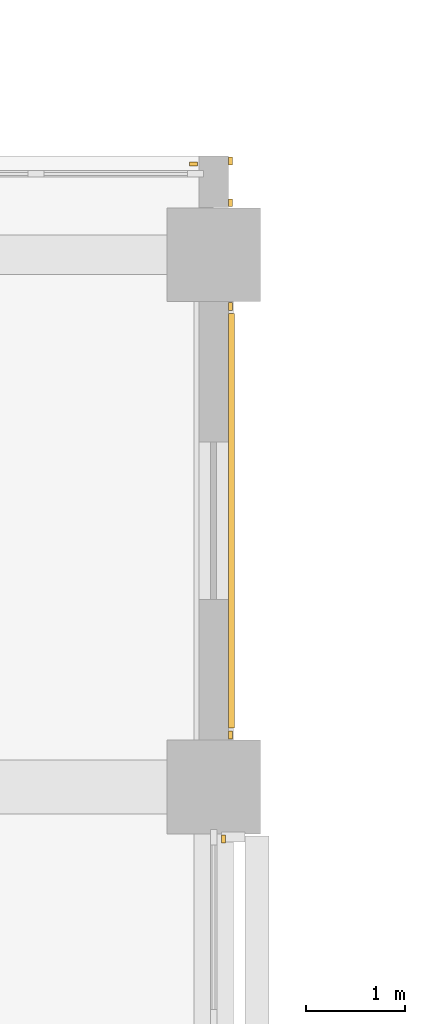
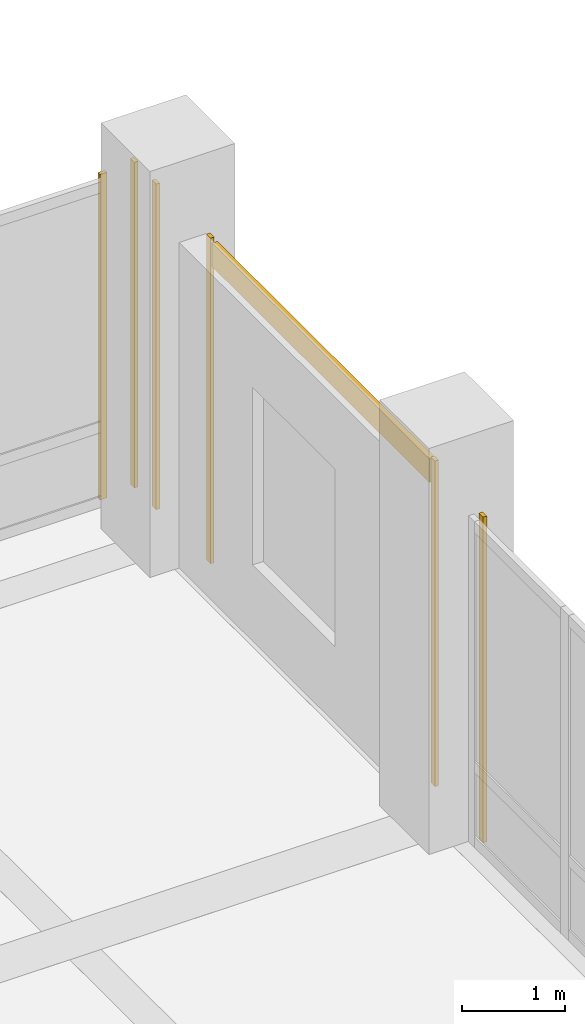
# One storey, part 116 of 128: 7 coverings.
"""IFC4 building model written with IfcOpenShell, lengths in metres."""

from ifc_helpers import new_model, si_unit, direction, frame, origin, origin_2d, place, context, subcontext, project, spatial, rectangle, extrude, material, layer, layer_set, type_object, element, save


model = new_model("IFC4")

# Units and contexts
model_context = context("Model", 3, precision=1e-05, world=origin(), true_north=direction((0.0, 1.0)))
body_context = subcontext(model_context, "Body", "Model", "MODEL_VIEW")
ifc_project = project(units=[si_unit("LENGTHUNIT", "METRE"), si_unit("AREAUNIT", "SQUARE_METRE"), si_unit("VOLUMEUNIT", "CUBIC_METRE"), si_unit("PLANEANGLEUNIT", "RADIAN"), si_unit("MASSUNIT", "GRAM", prefix="KILO")], contexts=[model_context])

# Site, building, storey
site_placement = place(None, origin())
site = spatial("IfcSite", under=ifc_project, at=site_placement, CompositionType="ELEMENT")
building_placement = place(site_placement, origin())
building = spatial("IfcBuilding", under=site, at=building_placement, Name="Telukmera Botanical Conservatory", CompositionType="ELEMENT")
storey_placement = place(building_placement, frame((0.0, 0.0, 5.39990234375)))
storey = spatial("IfcBuildingStorey", under=building, at=storey_placement, Name="L01", CompositionType="ELEMENT", Elevation=5.39990234375)

# Coverings
ifc_material_1 = material(Name="Granite-faced precast concrete C40/50", Category="masonry")
ifc_layer_1 = layer(ifc_material_1, 0.0400390625)
ifc_layer_set_1 = layer_set([ifc_layer_1], Name="Granite-faced precast concrete C40/50")
covering_type_1 = type_object("IfcCoveringType", Name="Granite Precast Column Pier Reveal Casing", PredefinedType="CLADDING", material=ifc_layer_set_1)
for number, where, z_axis, x_axis, name in (
    (1, (109.3701171875, 48.72705078125, 0.0), (0.0, 0.0, 1.0), (0.0, 1.0, 0.0), "Granite Pier Reveal V4:L01:NEC L"),
    (2, (109.3701171875, 49.14990234375, 0.0), (0.0, 0.0, 1.0), (0.0, 1.0, 0.0), "Granite Pier Reveal V4:L01:NEC R"),
    (3, (108.998046875, 49.1201171875, 0.0), (0.0, 0.0, 1.0), (1.0, 0.0, 0.0), "Granite Pier Reveal V4:L01:N7 R"),
    (4, (109.300048828125, 42.27294921875, 0.0), (0.0, 0.0, 1.0), (0.0, 1.0, 0.0), "Granite Pier Reveal V4:L01:E4 R"),
    (5, (109.3701171875, 43.326904296875, 0.0), (0.0, 0.0, 1.0), (0.0, 1.0, 0.0), "Granite Pier Reveal V4:L01:E5 L"),
    (6, (109.3701171875, 47.673095703125, 0.0), (0.0, 0.0, 1.0), (0.0, 1.0, 0.0), "Granite Pier Reveal V4:L01:E5 R"),
):
    element("IfcCovering", number, at=place(storey_placement, frame(where, z_axis=z_axis, x_axis=x_axis)), inside=storey, type_object=covering_type_1, Name=name, PredefinedType="CLADDING", context=body_context, shape_type="SweptSolid", body=[
        extrude(rectangle(XDim=0.080078125, YDim=0.0400390625, at=origin_2d()), origin(), (0.0, 0.0, 1.0), 3.85009765625),
    ])
ifc_material_2 = material(Name="Terracotta-faced precast concrete C40/50", Category="masonry")
ifc_layer_2 = layer(ifc_material_2, 0.06005859375)
ifc_layer_set_2 = layer_set([ifc_layer_2], Name="Terracotta-faced precast concrete C40/50")
covering_type_2 = type_object("IfcCoveringType", Name="Polychrome Terracotta Facade Band Cladding", PredefinedType="CLADDING", material=ifc_layer_set_2)
covering_placement = place(storey_placement, frame((109.3798828125, 45.5, 3.5302734375), z_axis=(0.0, 0.0, 1.0), x_axis=(0.0, 1.0, 0.0)))
element("IfcCovering", 7, at=covering_placement, inside=storey, type_object=covering_type_2, Name="Polychrome Terracotta Band V4:L01:E5", PredefinedType="CLADDING", context=body_context, shape_type="SweptSolid", body=[
    extrude(rectangle(XDim=4.2060546875, YDim=0.06005859375, at=origin_2d()), origin(), (0.0, 0.0, 1.0), 0.280029296875),
])

save(model, "model.ifc")
